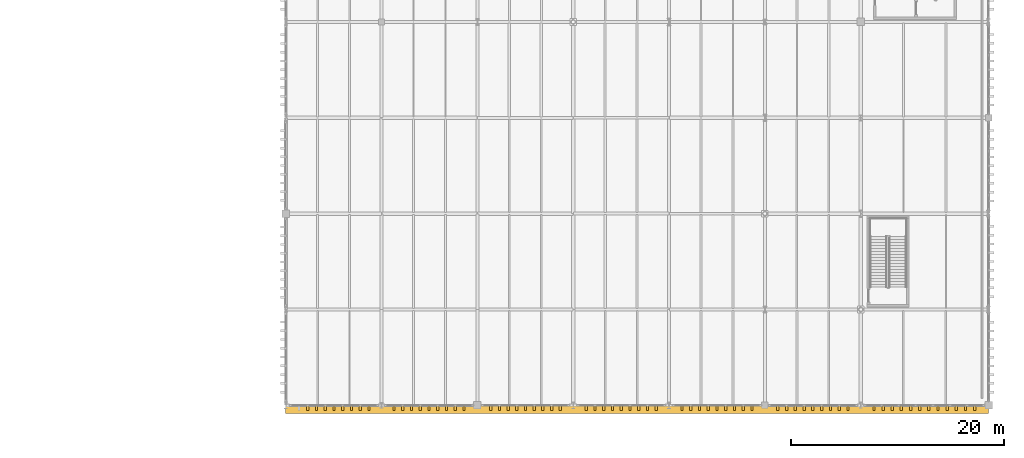
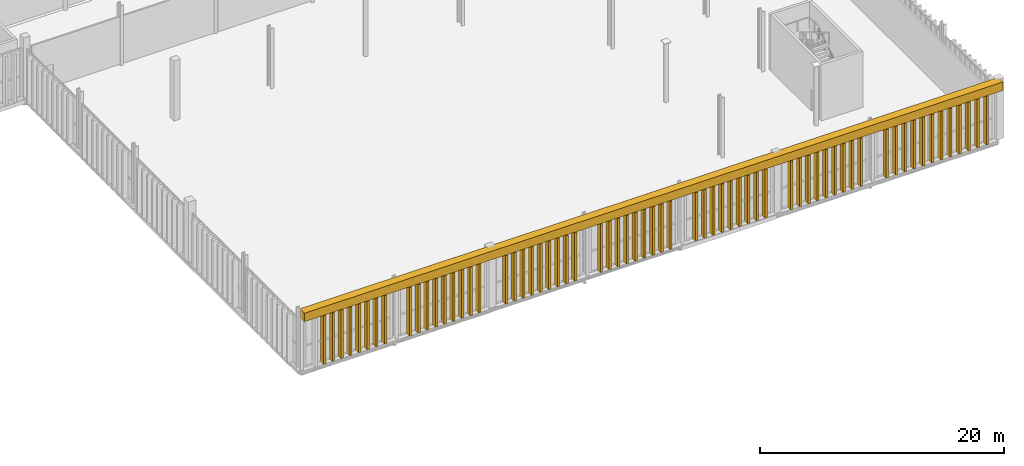
# One storey, part 224 of 237: 65 shading devices, 1 covering.
"""IFC4 building model written with IfcOpenShell, lengths in metres."""

from ifc_helpers import new_model, si_unit, direction, frame, origin, origin_2d, place, context, subcontext, project, spatial, rectangle, extrude, material, layer, layer_set, type_object, element, save


model = new_model("IFC4")

# Units and contexts
model_context = context("Model", 3, precision=1e-05, world=origin(), true_north=direction((0.0, 1.0)))
body_context = subcontext(model_context, "Body", "Model", "MODEL_VIEW")
ifc_project = project(units=[si_unit("LENGTHUNIT", "METRE"), si_unit("AREAUNIT", "SQUARE_METRE"), si_unit("VOLUMEUNIT", "CUBIC_METRE"), si_unit("PLANEANGLEUNIT", "RADIAN"), si_unit("MASSUNIT", "GRAM", prefix="KILO")], contexts=[model_context])

# Site, building, storey
site_placement = place(None, origin())
site = spatial("IfcSite", under=ifc_project, at=site_placement, CompositionType="ELEMENT")
building_placement = place(site_placement, origin())
building = spatial("IfcBuilding", under=site, at=building_placement, Name="Barlavento Convention Centre", CompositionType="ELEMENT")
storey_placement = place(building_placement, frame((0.0, 0.0, 12.0)))
storey = spatial("IfcBuildingStorey", under=building, at=storey_placement, Name="L02", CompositionType="ELEMENT", Elevation=12.0)

# Covering
ifc_material_1 = material(Name="Macau dark grey granite cladding", Category="masonry")
ifc_layer = layer(ifc_material_1, 0.050048828125)
ifc_layer_set = layer_set([ifc_layer], Name="ARC-COV-CLAD-GRANITE")
covering_type = type_object("IfcCoveringType", Name="ARC-COV-CLAD-GRANITE", PredefinedType="CLADDING", material=ifc_layer_set)
covering_placement = place(storey_placement, frame((159.0, -0.39990234375, 5.125), z_axis=(0.0, 0.0, 1.0), x_axis=(1.0, 0.0, 0.0)))
element("IfcCovering", 1, at=covering_placement, inside=storey, type_object=covering_type, Name="Postmodern stepped stone cornice band CLD01", PredefinedType="CLADDING", context=body_context, shape_type="SweptSolid", body=[
    extrude(rectangle(XDim=66.0, YDim=0.75, at=origin_2d()), origin(), (0.0, 0.0, 1.0), 0.85009765625),
])

# Shading devices
ifc_material_2 = material(Name="PVDF white extruded aluminium", Category="aluminium")
shading_device_type = type_object("IfcShadingDeviceType", Name="ARC-SHD-FIN-480", PredefinedType="USERDEFINED", material=ifc_material_2)
for number, where, z_axis, x_axis, name in (
    (2, (128.06884765625, -0.239990234375, 0.0), (0.0, 0.0, 1.0), (1.0, 0.0, 0.0), "White vertical solar shading fin VF01"),
    (3, (128.89111328125, -0.239990234375, 0.0), (0.0, 0.0, 1.0), (1.0, 0.0, 0.0), "White vertical solar shading fin VF01"),
    (4, (129.713623046875, -0.239990234375, 0.0), (0.0, 0.0, 1.0), (1.0, 0.0, 0.0), "White vertical solar shading fin VF01"),
    (5, (130.535888671875, -0.239990234375, 0.0), (0.0, 0.0, 1.0), (1.0, 0.0, 0.0), "White vertical solar shading fin VF01"),
    (6, (131.3583984375, -0.239990234375, 0.0), (0.0, 0.0, 1.0), (1.0, 0.0, 0.0), "White vertical solar shading fin VF01"),
    (7, (132.180908203125, -0.239990234375, 0.0), (0.0, 0.0, 1.0), (1.0, 0.0, 0.0), "White vertical solar shading fin VF01"),
    (8, (133.003173828125, -0.239990234375, 0.0), (0.0, 0.0, 1.0), (1.0, 0.0, 0.0), "White vertical solar shading fin VF01"),
    (9, (133.82568359375, -0.239990234375, 0.0), (0.0, 0.0, 1.0), (1.0, 0.0, 0.0), "White vertical solar shading fin VF01"),
    (10, (136.1728515625, -0.239990234375, 0.0), (0.0, 0.0, 1.0), (1.0, 0.0, 0.0), "White vertical solar shading fin VF01"),
    (11, (136.99365234375, -0.239990234375, 0.0), (0.0, 0.0, 1.0), (1.0, 0.0, 0.0), "White vertical solar shading fin VF01"),
    (12, (137.814453125, -0.239990234375, 0.0), (0.0, 0.0, 1.0), (1.0, 0.0, 0.0), "White vertical solar shading fin VF01"),
    (13, (138.63525390625, -0.239990234375, 0.0), (0.0, 0.0, 1.0), (1.0, 0.0, 0.0), "White vertical solar shading fin VF01"),
    (14, (139.4560546875, -0.239990234375, 0.0), (0.0, 0.0, 1.0), (1.0, 0.0, 0.0), "White vertical solar shading fin VF01"),
    (15, (140.27685546875, -0.239990234375, 0.0), (0.0, 0.0, 1.0), (1.0, 0.0, 0.0), "White vertical solar shading fin VF01"),
    (16, (141.09765625, -0.239990234375, 0.0), (0.0, 0.0, 1.0), (1.0, 0.0, 0.0), "White vertical solar shading fin VF01"),
    (17, (141.91845703125, -0.239990234375, 0.0), (0.0, 0.0, 1.0), (1.0, 0.0, 0.0), "White vertical solar shading fin VF01"),
    (18, (142.7392578125, -0.239990234375, 0.0), (0.0, 0.0, 1.0), (1.0, 0.0, 0.0), "White vertical solar shading fin VF01"),
    (19, (145.256103515625, -0.239990234375, 0.0), (0.0, 0.0, 1.0), (1.0, 0.0, 0.0), "White vertical solar shading fin VF01"),
    (20, (146.072021484375, -0.239990234375, 0.0), (0.0, 0.0, 1.0), (1.0, 0.0, 0.0), "White vertical solar shading fin VF01"),
    (21, (146.887939453125, -0.239990234375, 0.0), (0.0, 0.0, 1.0), (1.0, 0.0, 0.0), "White vertical solar shading fin VF01"),
    (22, (147.7041015625, -0.239990234375, 0.0), (0.0, 0.0, 1.0), (1.0, 0.0, 0.0), "White vertical solar shading fin VF01"),
    (23, (148.52001953125, -0.239990234375, 0.0), (0.0, 0.0, 1.0), (1.0, 0.0, 0.0), "White vertical solar shading fin VF01"),
    (24, (149.3359375, -0.239990234375, 0.0), (0.0, 0.0, 1.0), (1.0, 0.0, 0.0), "White vertical solar shading fin VF01"),
    (25, (150.152099609375, -0.239990234375, 0.0), (0.0, 0.0, 1.0), (1.0, 0.0, 0.0), "White vertical solar shading fin VF01"),
    (26, (150.968017578125, -0.239990234375, 0.0), (0.0, 0.0, 1.0), (1.0, 0.0, 0.0), "White vertical solar shading fin VF01"),
    (27, (151.783935546875, -0.239990234375, 0.0), (0.0, 0.0, 1.0), (1.0, 0.0, 0.0), "White vertical solar shading fin VF01"),
    (28, (154.220947265625, -0.239990234375, 0.0), (0.0, 0.0, 1.0), (1.0, 0.0, 0.0), "White vertical solar shading fin VF01"),
    (29, (155.0419921875, -0.239990234375, 0.0), (0.0, 0.0, 1.0), (1.0, 0.0, 0.0), "White vertical solar shading fin VF01"),
    (30, (155.863037109375, -0.239990234375, 0.0), (0.0, 0.0, 1.0), (1.0, 0.0, 0.0), "White vertical solar shading fin VF01"),
    (31, (156.68408203125, -0.239990234375, 0.0), (0.0, 0.0, 1.0), (1.0, 0.0, 0.0), "White vertical solar shading fin VF01"),
    (32, (157.5048828125, -0.239990234375, 0.0), (0.0, 0.0, 1.0), (1.0, 0.0, 0.0), "White vertical solar shading fin VF01"),
    (33, (158.325927734375, -0.239990234375, 0.0), (0.0, 0.0, 1.0), (1.0, 0.0, 0.0), "White vertical solar shading fin VF01"),
    (34, (159.14697265625, -0.239990234375, 0.0), (0.0, 0.0, 1.0), (1.0, 0.0, 0.0), "White vertical solar shading fin VF01"),
    (35, (159.968017578125, -0.239990234375, 0.0), (0.0, 0.0, 1.0), (1.0, 0.0, 0.0), "White vertical solar shading fin VF01"),
    (36, (160.7890625, -0.239990234375, 0.0), (0.0, 0.0, 1.0), (1.0, 0.0, 0.0), "White vertical solar shading fin VF01"),
    (37, (163.2119140625, -0.239990234375, 0.0), (0.0, 0.0, 1.0), (1.0, 0.0, 0.0), "White vertical solar shading fin VF01"),
    (38, (164.033935546875, -0.239990234375, 0.0), (0.0, 0.0, 1.0), (1.0, 0.0, 0.0), "White vertical solar shading fin VF01"),
    (39, (164.85595703125, -0.239990234375, 0.0), (0.0, 0.0, 1.0), (1.0, 0.0, 0.0), "White vertical solar shading fin VF01"),
    (40, (165.677978515625, -0.239990234375, 0.0), (0.0, 0.0, 1.0), (1.0, 0.0, 0.0), "White vertical solar shading fin VF01"),
    (41, (166.5, -0.239990234375, 0.0), (0.0, 0.0, 1.0), (1.0, 0.0, 0.0), "White vertical solar shading fin VF01"),
    (42, (167.322021484375, -0.239990234375, 0.0), (0.0, 0.0, 1.0), (1.0, 0.0, 0.0), "White vertical solar shading fin VF01"),
    (43, (168.14404296875, -0.239990234375, 0.0), (0.0, 0.0, 1.0), (1.0, 0.0, 0.0), "White vertical solar shading fin VF01"),
    (44, (168.966064453125, -0.239990234375, 0.0), (0.0, 0.0, 1.0), (1.0, 0.0, 0.0), "White vertical solar shading fin VF01"),
    (45, (169.7880859375, -0.239990234375, 0.0), (0.0, 0.0, 1.0), (1.0, 0.0, 0.0), "White vertical solar shading fin VF01"),
    (46, (172.21337890625, -0.239990234375, 0.0), (0.0, 0.0, 1.0), (1.0, 0.0, 0.0), "White vertical solar shading fin VF01"),
    (47, (173.036865234375, -0.239990234375, 0.0), (0.0, 0.0, 1.0), (1.0, 0.0, 0.0), "White vertical solar shading fin VF01"),
    (48, (173.860107421875, -0.239990234375, 0.0), (0.0, 0.0, 1.0), (1.0, 0.0, 0.0), "White vertical solar shading fin VF01"),
    (49, (174.68359375, -0.239990234375, 0.0), (0.0, 0.0, 1.0), (1.0, 0.0, 0.0), "White vertical solar shading fin VF01"),
    (50, (175.507080078125, -0.239990234375, 0.0), (0.0, 0.0, 1.0), (1.0, 0.0, 0.0), "White vertical solar shading fin VF01"),
    (51, (176.330322265625, -0.239990234375, 0.0), (0.0, 0.0, 1.0), (1.0, 0.0, 0.0), "White vertical solar shading fin VF01"),
    (52, (177.15380859375, -0.239990234375, 0.0), (0.0, 0.0, 1.0), (1.0, 0.0, 0.0), "White vertical solar shading fin VF01"),
    (53, (177.977294921875, -0.239990234375, 0.0), (0.0, 0.0, 1.0), (1.0, 0.0, 0.0), "White vertical solar shading fin VF01"),
    (54, (178.800537109375, -0.239990234375, 0.0), (0.0, 0.0, 1.0), (1.0, 0.0, 0.0), "White vertical solar shading fin VF01"),
    (55, (181.236328125, -0.239990234375, 0.0), (0.0, 0.0, 1.0), (1.0, 0.0, 0.0), "White vertical solar shading fin VF01"),
    (56, (182.0966796875, -0.239990234375, 0.0), (0.0, 0.0, 1.0), (1.0, 0.0, 0.0), "White vertical solar shading fin VF01"),
    (57, (182.956787109375, -0.239990234375, 0.0), (0.0, 0.0, 1.0), (1.0, 0.0, 0.0), "White vertical solar shading fin VF01"),
    (58, (183.817138671875, -0.239990234375, 0.0), (0.0, 0.0, 1.0), (1.0, 0.0, 0.0), "White vertical solar shading fin VF01"),
    (59, (184.677490234375, -0.239990234375, 0.0), (0.0, 0.0, 1.0), (1.0, 0.0, 0.0), "White vertical solar shading fin VF01"),
    (60, (185.537841796875, -0.239990234375, 0.0), (0.0, 0.0, 1.0), (1.0, 0.0, 0.0), "White vertical solar shading fin VF01"),
    (61, (186.398193359375, -0.239990234375, 0.0), (0.0, 0.0, 1.0), (1.0, 0.0, 0.0), "White vertical solar shading fin VF01"),
    (62, (187.258544921875, -0.239990234375, 0.0), (0.0, 0.0, 1.0), (1.0, 0.0, 0.0), "White vertical solar shading fin VF01"),
    (63, (188.118896484375, -0.239990234375, 0.0), (0.0, 0.0, 1.0), (1.0, 0.0, 0.0), "White vertical solar shading fin VF01"),
    (64, (188.97900390625, -0.239990234375, 0.0), (0.0, 0.0, 1.0), (1.0, 0.0, 0.0), "White vertical solar shading fin VF01"),
    (65, (189.83935546875, -0.239990234375, 0.0), (0.0, 0.0, 1.0), (1.0, 0.0, 0.0), "White vertical solar shading fin VF01"),
    (66, (190.69970703125, -0.239990234375, 0.0), (0.0, 0.0, 1.0), (1.0, 0.0, 0.0), "White vertical solar shading fin VF01"),
):
    element("IfcShadingDevice", number, at=place(storey_placement, frame(where, z_axis=z_axis, x_axis=x_axis)), inside=storey, type_object=shading_device_type, Name=name, ObjectType="FIN", PredefinedType="USERDEFINED", context=body_context, shape_type="SweptSolid", body=[
        extrude(rectangle(XDim=0.219970703125, YDim=0.52001953125, at=origin_2d()), origin(), (0.0, 0.0, 1.0), 4.85009765625),
    ])

save(model, "model.ifc")
